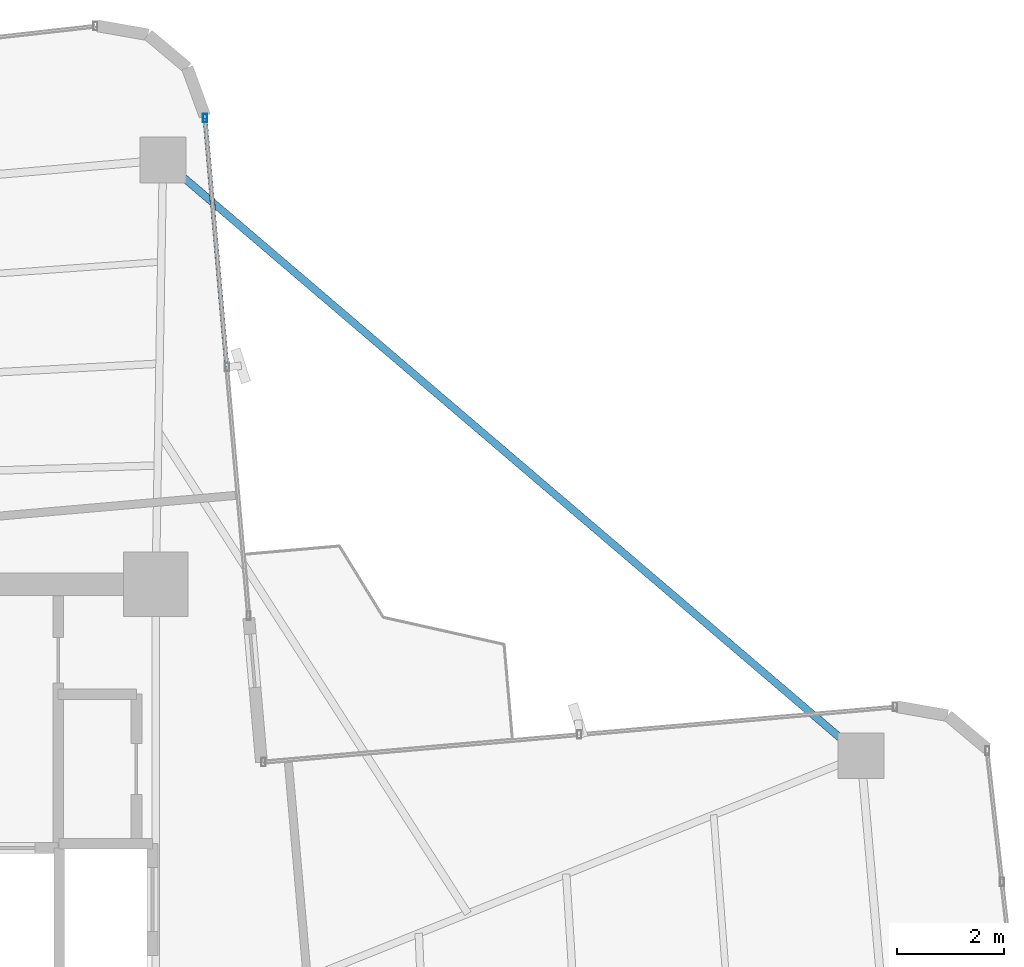
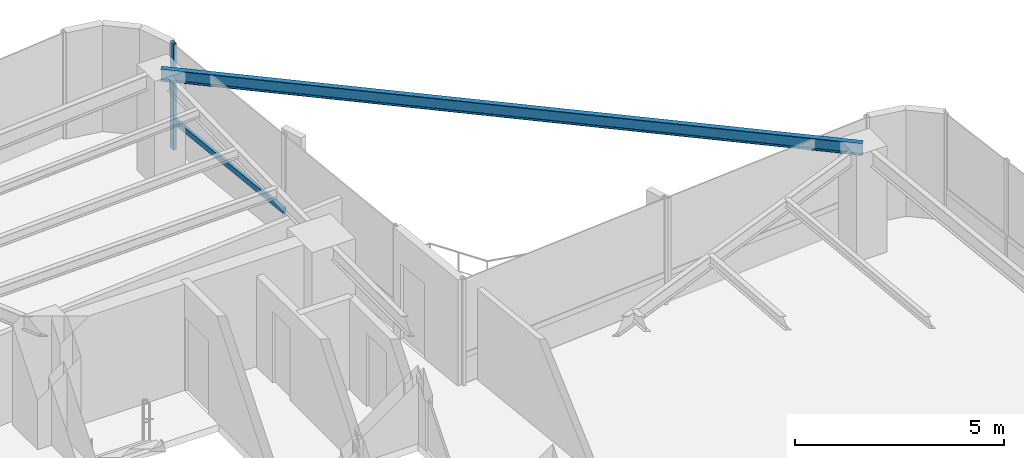
# One storey, part 17 of 24: 2 members, 1 beam, 1 element without a shape of its own.
"""IFC4 building model written with IfcOpenShell, lengths in metres."""

from ifc_helpers import new_model, si_unit, direction, frame, origin, origin_2d, place, context, subcontext, project, spatial, hollow_rectangle, i_section, extrude, source, transform, mapped, material, material_profile, profile_set, type_object, element, aggregate, save


model = new_model("IFC4")

# Units and contexts
model_context = context("Model", 3, precision=1e-05, world=origin(), true_north=direction((0.0, 1.0)))
body_context = subcontext(model_context, "Body", "Model", "MODEL_VIEW")
ifc_project = project(units=[si_unit("LENGTHUNIT", "METRE"), si_unit("AREAUNIT", "SQUARE_METRE"), si_unit("VOLUMEUNIT", "CUBIC_METRE"), si_unit("PLANEANGLEUNIT", "RADIAN"), si_unit("MASSUNIT", "GRAM", prefix="KILO")], contexts=[model_context])

# Site, building, storey
site_placement = place(None, origin())
site = spatial("IfcSite", under=ifc_project, at=site_placement, CompositionType="ELEMENT")
building_placement = place(site_placement, origin())
building = spatial("IfcBuilding", under=site, at=building_placement, Name="Sahyath Konkavel Grand Hotel", CompositionType="ELEMENT")
storey_placement = place(building_placement, frame((0.0, 0.0, 160.64990234375)))
storey = spatial("IfcBuildingStorey", under=building, at=storey_placement, Name="L44", CompositionType="ELEMENT", Elevation=160.64990234375)

# Beam
ifc_material_1 = material(Name="Steel E350", Category="steel")
ifc_material_profile_1 = material_profile(ifc_material_1, i_section(OverallWidth=0.139892578125, OverallDepth=0.35009765625, WebThickness=0.008056640625, FlangeThickness=0.01416015625, FilletRadius=0.013916015625, at=origin_2d()), Name="ISMB 350")
ifc_profile_set_1 = profile_set([ifc_material_profile_1], Name="Steel E350")
beam_type = type_object("IfcBeamType", Name="BM-ISMB350", PredefinedType="BEAM", material=ifc_profile_set_1)
shared_shape_1 = source(origin(), body_context, "Body", "SweptSolid", [
    extrude(i_section(OverallWidth=0.139892578125, OverallDepth=0.35009765625, WebThickness=0.008056640625, FlangeThickness=0.01416015625, FilletRadius=0.013916015625, at=origin_2d()), origin(), (0.0, 0.0, 1.0), 17.11279296875),
])
beam_placement = place(storey_placement, frame((16.9541015625, 7.00439453125, 2.93505859375), z_axis=(-0.760711911164, 0.649089661151, 0.0), x_axis=(-0.649089661151, -0.760711911164, 0.0)))
element("IfcBeam", 1, at=beam_placement, inside=storey, type_object=beam_type, Name="L44 Re-Entrant Tie Beam NE", PredefinedType="BEAM", context=body_context, shape_type="MappedRepresentation", body=[
    mapped(shared_shape_1, transform((0.0, 0.0, 0.0), scale=1.0)),
])

# Curtain wall, members
ifc_material_2 = material(Name="Anodised Bronze Aluminium & Low-E Glazing", Category="aluminium")
curtain_wall_type = type_object("IfcCurtainWallType", Name="CW-ZONE3", PredefinedType="NOTDEFINED", material=ifc_material_2)
curtain_wall_placement = place(storey_placement, origin())
curtain_wall = element("IfcCurtainWall", 2, at=curtain_wall_placement, inside=storey, type_object=curtain_wall_type, Name="L44 Unitised Curtain Wall F8", PredefinedType="NOTDEFINED")
ifc_material_3 = material(Name="Anodised Bronze Aluminium", Category="aluminium")
ifc_material_profile_2 = material_profile(ifc_material_3, hollow_rectangle(XDim=0.080078125, YDim=0.159912109375, WallThickness=0.006103515625, at=origin_2d()), Name="RHS 160x80x6")
ifc_profile_set_2 = profile_set([ifc_material_profile_2], Name="Anodised Bronze Aluminium")
member_type_1 = type_object("IfcMemberType", Name="CW-MUL-160", PredefinedType="MULLION", material=ifc_profile_set_2)
shared_shape_2 = source(origin(), body_context, "Body", "SweptSolid", [
    extrude(hollow_rectangle(XDim=0.080078125, YDim=0.159912109375, WallThickness=0.006103515625, at=origin_2d()), origin(), (0.0, 0.0, 1.0), 3.110107421875),
])
member_1_placement = place(storey_placement, frame((4.72119140625, 18.893310546875, 0.0), z_axis=(0.0, 0.0, 1.0), x_axis=(1.0, 0.0, 0.0)))
member_1 = element("IfcMember", 3, at=member_1_placement, type_object=member_type_1, Name="L44 Curtain Wall Mullion F8-2", PredefinedType="MULLION", context=body_context, shape_type="MappedRepresentation", body=[
    mapped(shared_shape_2, transform((0.0, 0.0, 0.0), scale=1.0)),
])
ifc_material_profile_3 = material_profile(ifc_material_3, hollow_rectangle(XDim=0.080078125, YDim=0.159912109375, WallThickness=0.006103515625, at=origin_2d()), Name="RHS 160x80x6")
ifc_profile_set_3 = profile_set([ifc_material_profile_3], Name="Anodised Bronze Aluminium")
member_type_2 = type_object("IfcMemberType", Name="CW-TRN-160", PredefinedType="USERDEFINED", material=ifc_profile_set_3)
shared_shape_3 = source(origin(), body_context, "Body", "SweptSolid", [
    extrude(hollow_rectangle(XDim=0.080078125, YDim=0.159912109375, WallThickness=0.006103515625, at=origin_2d()), origin(), (0.0, 0.0, 1.0), 4.659912109375),
])
member_2_placement = place(storey_placement, frame((5.12744140625, 14.251220703125, 0.85009765625), z_axis=(-0.087181248758, 0.996192466276, 0.0), x_axis=(-0.996192466276, -0.087181248758, 0.0)))
member_2 = element("IfcMember", 4, at=member_2_placement, type_object=member_type_2, Name="L44 Curtain Wall Transom F8-1-spandrel", ObjectType="TRANSOM", PredefinedType="USERDEFINED", context=body_context, shape_type="MappedRepresentation", body=[
    mapped(shared_shape_3, transform((0.0, 0.0, 0.0), scale=1.0)),
])
aggregate(curtain_wall, [member_1, member_2])

save(model, "model.ifc")
